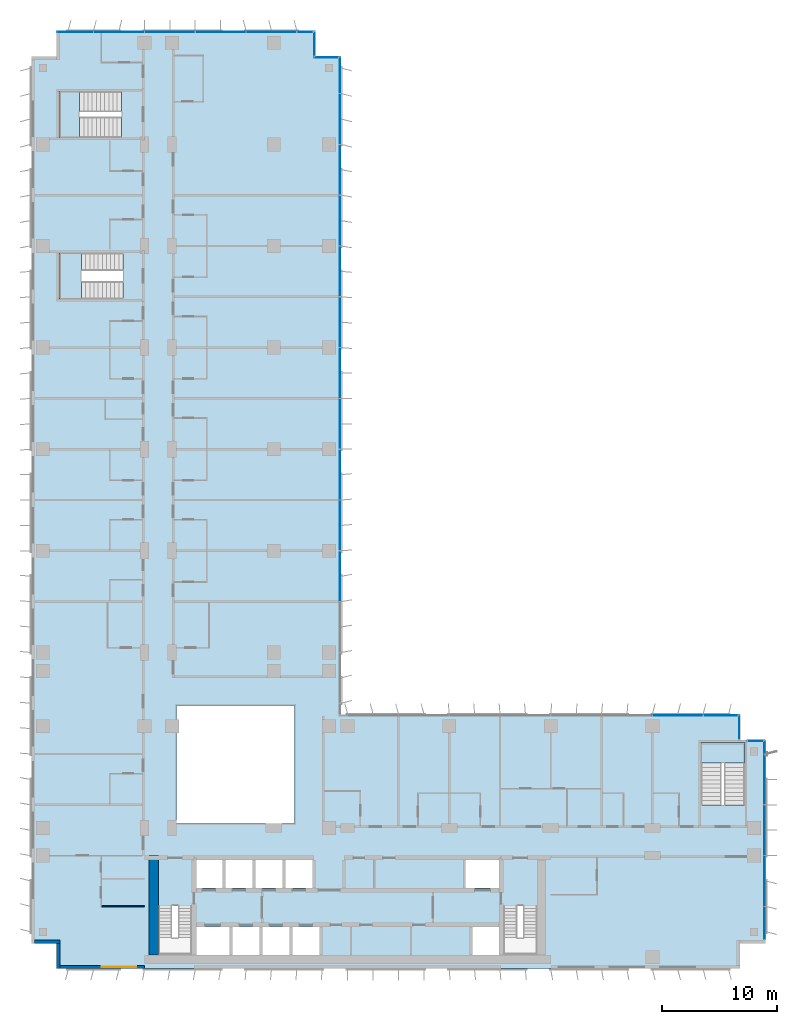
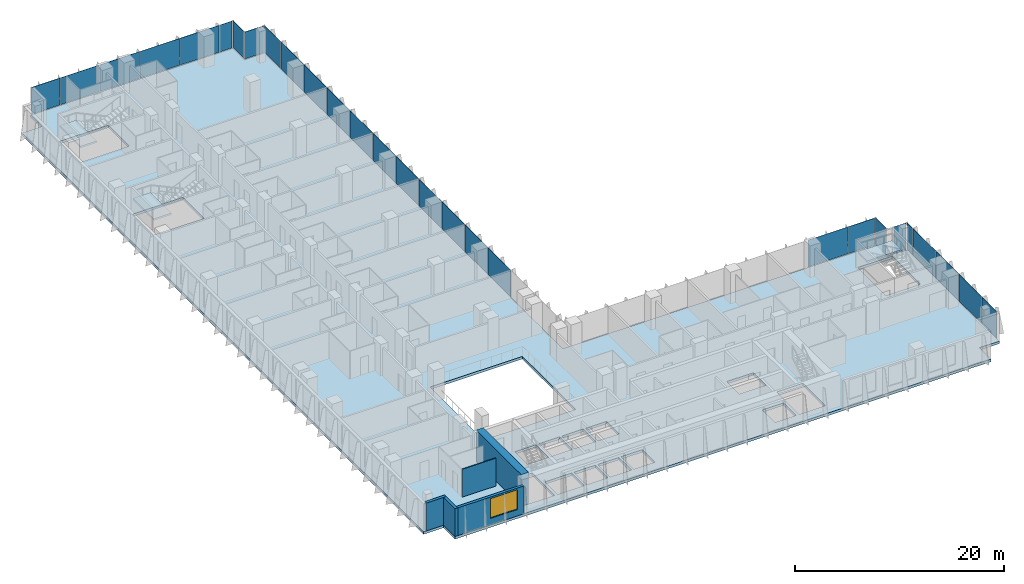
# One storey, part 11 of 22: 28 plates, 5 walls, 4 slabs, 1 window, 1 opening, 11 elements without a shape of their own.
"""IFC4 building model written with IfcOpenShell, lengths in metres."""

from ifc_helpers import new_model, si_unit, direction, frame, frame_2d, origin, origin_2d, place, context, subcontext, project, spatial, polyline, rectangle, outline, extrude, source, transform, mapped, material, layer, layer_set, type_object, element, fill, aggregate, save


model = new_model("IFC4")

# Units and contexts
model_context = context("Model", 3, precision=1e-05, world=origin(), true_north=direction((0.0, 1.0)))
body_context = subcontext(model_context, "Body", "Model", "MODEL_VIEW")
ifc_project = project(units=[si_unit("LENGTHUNIT", "METRE"), si_unit("AREAUNIT", "SQUARE_METRE"), si_unit("VOLUMEUNIT", "CUBIC_METRE"), si_unit("PLANEANGLEUNIT", "RADIAN"), si_unit("MASSUNIT", "GRAM", prefix="KILO")], contexts=[model_context])

# Site, building, storey
site_placement = place(None, origin())
site = spatial("IfcSite", under=ifc_project, at=site_placement, CompositionType="ELEMENT")
building_placement = place(site_placement, origin())
building = spatial("IfcBuilding", under=site, at=building_placement, Name="Kemantara Hotel Tower", CompositionType="ELEMENT")
storey_placement = place(building_placement, frame((0.0, 0.0, 129.60009765625)))
storey = spatial("IfcBuildingStorey", under=building, at=storey_placement, Name="L31", CompositionType="ELEMENT", Elevation=129.60009765625)

# Slab
ifc_material_1 = material(Name="Concrete fc 40 MPa", Category="concrete")
ifc_layer_1 = layer(ifc_material_1, 0.300048828125)
ifc_layer_set_1 = layer_set([ifc_layer_1], Name="Concrete fc 40 MPa")
slab_type_1 = type_object("IfcSlabType", Name="POST-TENSIONED FLAT PLATE 300", PredefinedType="FLOOR", material=ifc_layer_set_1)
slab_1_placement = place(storey_placement, frame((0.0, 0.0, -0.300048828125)))
element("IfcSlab", 1, at=slab_1_placement, inside=storey, type_object=slab_type_1, Name="FLOOR SLAB L31", PredefinedType="FLOOR", context=body_context, shape_type="SweptSolid", body=[
    extrude(outline(polyline([(26.800048828125, 79.0), (24.60009765625, 79.0), (24.60009765625, 81.199951171875), (2.199951171875, 81.199951171875), (2.199951171875, 79.0), (0.0, 79.0), (0.0, 2.199951171875), (2.199951171875, 2.199951171875), (2.199951171875, 0.0), (61.39990234375, 0.0), (61.39990234375, 2.199951171875), (63.60009765625, 2.199951171875), (63.60009765625, 19.800048828125), (61.39990234375, 19.800048828125), (61.39990234375, 22.0), (26.800048828125, 22.0), (26.800048828125, 79.0)]), holes=[polyline([(17.175048828125, 1.199951171875), (14.22509765625, 1.199951171875), (14.22509765625, 3.60009765625), (17.175048828125, 3.60009765625), (17.175048828125, 1.199951171875)]), polyline([(19.77490234375, 1.199951171875), (17.425048828125, 1.199951171875), (17.425048828125, 3.60009765625), (19.77490234375, 3.60009765625), (19.77490234375, 1.199951171875)]), polyline([(11.0, 1.199951171875), (11.0, 5.49951171875), (13.89990234375, 5.49951171875), (13.89990234375, 1.199951171875), (11.0, 1.199951171875)]), polyline([(16.574951171875, 7.0), (14.22509765625, 7.0), (14.22509765625, 9.39990234375), (16.574951171875, 9.39990234375), (16.574951171875, 7.0)]), polyline([(19.175048828125, 7.0), (16.824951171875, 7.0), (16.824951171875, 9.39990234375), (19.175048828125, 9.39990234375), (19.175048828125, 7.0)]), polyline([(22.800048828125, 12.60009765625), (12.60009765625, 12.60009765625), (12.60009765625, 22.800048828125), (22.800048828125, 22.800048828125), (22.800048828125, 12.60009765625)]), polyline([(2.39990234375, 62.0), (7.949462890625, 62.0), (7.949462890625, 58.0), (2.39990234375, 58.0), (2.39990234375, 62.0)]), polyline([(2.39990234375, 76.0), (7.79931640625, 76.0), (7.79931640625, 72.0), (2.39990234375, 72.0), (2.39990234375, 76.0)]), polyline([(22.375, 1.199951171875), (20.02490234375, 1.199951171875), (20.02490234375, 3.60009765625), (22.375, 3.60009765625), (22.375, 1.199951171875)]), polyline([(24.97509765625, 1.199951171875), (22.625, 1.199951171875), (22.625, 3.60009765625), (24.97509765625, 3.60009765625), (24.97509765625, 1.199951171875)]), polyline([(40.574951171875, 1.199951171875), (38.22509765625, 1.199951171875), (38.22509765625, 3.60009765625), (40.574951171875, 3.60009765625), (40.574951171875, 1.199951171875)]), polyline([(40.89990234375, 1.199951171875), (40.89990234375, 5.49951171875), (43.800048828125, 5.49951171875), (43.800048828125, 1.199951171875), (40.89990234375, 1.199951171875)]), polyline([(21.77490234375, 7.0), (19.425048828125, 7.0), (19.425048828125, 9.39990234375), (21.77490234375, 9.39990234375), (21.77490234375, 7.0)]), polyline([(24.375, 7.0), (22.02490234375, 7.0), (22.02490234375, 9.39990234375), (24.375, 9.39990234375), (24.375, 7.0)]), polyline([(40.574951171875, 7.0), (37.625, 7.0), (37.625, 9.39990234375), (40.574951171875, 9.39990234375), (40.574951171875, 7.0)]), polyline([(61.800048828125, 19.60009765625), (61.800048828125, 14.20068359375), (58.0, 14.20068359375), (58.0, 19.60009765625), (61.800048828125, 19.60009765625)])]), origin(), (0.0, 0.0, 1.0), 0.300048828125),
])

# Stair, slab
stair_type_1 = type_object("IfcStairType", Name="Stair 1800 wide 22 risers of 168 x 360 mm", PredefinedType="HALF_TURN_STAIR", material=ifc_material_1)
stair_1_placement = place(storey_placement, origin())
stair_1 = element("IfcStair", 2, at=stair_1_placement, inside=storey, type_object=stair_type_1, Name="L31 Exit stair ST3", PredefinedType="HALF_TURN_STAIR")
ifc_layer_2 = layer(ifc_material_1, 0.199951171875)
ifc_layer_set_2 = layer_set([ifc_layer_2], Name="Concrete fc 40 MPa")
slab_type_2 = type_object("IfcSlabType", Name="Stair landing 200 mm", PredefinedType="LANDING", material=ifc_layer_set_2)
slab_2_placement = place(storey_placement, frame((0.0, 0.0, 1.64990234375)))
slab_2 = element("IfcSlab", 3, at=slab_2_placement, type_object=slab_type_2, Name="ST3 landing 1", PredefinedType="LANDING", context=body_context, shape_type="SweptSolid", body=[
    extrude(outline(polyline([(61.800048828125, 17.800048828125), (61.800048828125, 19.60009765625), (58.0, 19.60009765625), (58.0, 17.800048828125), (61.800048828125, 17.800048828125)])), origin(), (0.0, 0.0, 1.0), 0.199951171875),
])
aggregate(stair_1, [slab_2])

stair_type_2 = type_object("IfcStairType", Name="Stair 1550 wide 22 risers of 168 x 360 mm", PredefinedType="HALF_TURN_STAIR", material=ifc_material_1)
stair_2_placement = place(storey_placement, origin())
stair_2 = element("IfcStair", 4, at=stair_2_placement, inside=storey, type_object=stair_type_2, Name="L31 Exit stair ST4", PredefinedType="HALF_TURN_STAIR")
slab_3_placement = place(storey_placement, frame((0.0, 0.0, 1.64990234375)))
slab_3 = element("IfcSlab", 5, at=slab_3_placement, type_object=slab_type_2, Name="ST4 landing 1", PredefinedType="LANDING", context=body_context, shape_type="SweptSolid", body=[
    extrude(outline(polyline([(4.35009765625, 62.0), (2.39990234375, 62.0), (2.39990234375, 58.0), (4.35009765625, 58.0), (4.35009765625, 62.0)])), origin(), (0.0, 0.0, 1.0), 0.199951171875),
])
aggregate(stair_2, [slab_3])

stair_3_placement = place(storey_placement, origin())
stair_3 = element("IfcStair", 6, at=stair_3_placement, inside=storey, type_object=stair_type_1, Name="L31 Exit stair ST6", PredefinedType="HALF_TURN_STAIR")
slab_4_placement = place(storey_placement, frame((0.0, 0.0, 1.64990234375)))
slab_4 = element("IfcSlab", 7, at=slab_4_placement, type_object=slab_type_2, Name="ST6 landing 1", PredefinedType="LANDING", context=body_context, shape_type="SweptSolid", body=[
    extrude(outline(polyline([(4.199951171875, 76.0), (2.39990234375, 76.0), (2.39990234375, 72.0), (4.199951171875, 72.0), (4.199951171875, 76.0)])), origin(), (0.0, 0.0, 1.0), 0.199951171875),
])
aggregate(stair_3, [slab_4])

# Curtain wall, plate
ifc_material_2 = material(Name="Low-E tinted double insulated glass 36 mm", Category="glass")
curtain_wall_type = type_object("IfcCurtainWallType", Name="TOWER CURTAIN WALL, FRONT FACES", PredefinedType="USERDEFINED", material=ifc_material_2)
curtain_wall_1_placement = place(storey_placement, origin())
curtain_wall_1 = element("IfcCurtainWall", 8, at=curtain_wall_1_placement, inside=storey, type_object=curtain_wall_type, Name="CW4 L31 T2-R10-1", ObjectType="TOWER CURTAIN WALL, FRONT FACES", PredefinedType="USERDEFINED")
ifc_layer_3 = layer(ifc_material_2, 0.035888671875)
ifc_layer_set_3 = layer_set([ifc_layer_3], Name="Low-E tinted double insulated glass 36 mm")
plate_type = type_object("IfcPlateType", Name="TOWER CURTAIN WALL, FRONT FACES PANEL", PredefinedType="CURTAIN_PANEL", material=ifc_layer_set_3)
shared_shape_1 = source(origin(), body_context, "Body", "SweptSolid", [
    extrude(rectangle(XDim=2.81005859375, YDim=0.035888671875, at=origin_2d()), origin(), (0.0, 0.0, 1.0), 3.1298828125),
])
plate_1_placement = place(storey_placement, frame((63.52490234375, 3.965087890625, 0.119873046875), z_axis=(0.0, 0.0, 1.0), x_axis=(0.0, 1.0, 0.0)))
plate_1 = element("IfcPlate", 9, at=plate_1_placement, type_object=plate_type, Name="CW4 glass panel T2-R10-1.1", PredefinedType="CURTAIN_PANEL", context=body_context, shape_type="MappedRepresentation", body=[
    mapped(shared_shape_1, transform((0.0, 0.0, 0.0))),
])

# Curtain wall, plates
curtain_wall_2_placement = place(storey_placement, origin())
curtain_wall_2 = element("IfcCurtainWall", 10, at=curtain_wall_2_placement, inside=storey, type_object=curtain_wall_type, Name="CW4 L31 T2-R01-1", ObjectType="TOWER CURTAIN WALL, FRONT FACES", PredefinedType="USERDEFINED")
shared_shape_2 = source(origin(), body_context, "Body", "SweptSolid", [
    extrude(rectangle(XDim=4.340087890625, YDim=0.035888671875, at=origin_2d()), origin(), (0.0, 0.0, 1.0), 3.1298828125),
])
plate_2_placement = place(storey_placement, frame((20.800048828125, 81.125, 0.119873046875), z_axis=(0.0, 0.0, 1.0), x_axis=(-1.0, 0.0, 0.0)))
plate_2 = element("IfcPlate", 11, at=plate_2_placement, type_object=plate_type, Name="CW4 glass panel T2-R01-1.2", PredefinedType="CURTAIN_PANEL", context=body_context, shape_type="MappedRepresentation", body=[
    mapped(shared_shape_2, transform((0.0, 0.0, 0.0))),
])
plate_3_placement = place(storey_placement, frame((16.39990234375, 81.125, 0.119873046875), z_axis=(0.0, 0.0, 1.0), x_axis=(-1.0, 0.0, 0.0)))
plate_3 = element("IfcPlate", 12, at=plate_3_placement, type_object=plate_type, Name="CW4 glass panel T2-R01-1.3", PredefinedType="CURTAIN_PANEL", context=body_context, shape_type="MappedRepresentation", body=[
    mapped(shared_shape_2, transform((0.0, 0.0, 0.0))),
])
plate_4_placement = place(storey_placement, frame((12.0, 81.125, 0.119873046875), z_axis=(0.0, 0.0, 1.0), x_axis=(-1.0, 0.0, 0.0)))
plate_4 = element("IfcPlate", 13, at=plate_4_placement, type_object=plate_type, Name="CW4 glass panel T2-R01-1.4", PredefinedType="CURTAIN_PANEL", context=body_context, shape_type="MappedRepresentation", body=[
    mapped(shared_shape_2, transform((0.0, 0.0, 0.0))),
])
plate_5_placement = place(storey_placement, frame((7.60009765625, 81.125, 0.119873046875), z_axis=(0.0, 0.0, 1.0), x_axis=(-1.0, 0.0, 0.0)))
plate_5 = element("IfcPlate", 14, at=plate_5_placement, type_object=plate_type, Name="CW4 glass panel T2-R01-1.5", PredefinedType="CURTAIN_PANEL", context=body_context, shape_type="MappedRepresentation", body=[
    mapped(shared_shape_2, transform((0.0, 0.0, 0.0))),
])

# Plate
plate_6_placement = place(storey_placement, frame((63.52490234375, 7.60009765625, 0.119873046875), z_axis=(0.0, 0.0, 1.0), x_axis=(0.0, 1.0, 0.0)))
plate_6 = element("IfcPlate", 15, at=plate_6_placement, type_object=plate_type, Name="CW4 glass panel T2-R10-1.2", PredefinedType="CURTAIN_PANEL", context=body_context, shape_type="MappedRepresentation", body=[
    mapped(shared_shape_2, transform((0.0, 0.0, 0.0))),
])

plate_7_placement = place(storey_placement, frame((63.52490234375, 12.0, 0.119873046875), z_axis=(0.0, 0.0, 1.0), x_axis=(0.0, 1.0, 0.0)))
plate_7 = element("IfcPlate", 16, at=plate_7_placement, type_object=plate_type, Name="CW4 glass panel T2-R10-1.3", PredefinedType="CURTAIN_PANEL", context=body_context, shape_type="MappedRepresentation", body=[
    mapped(shared_shape_2, transform((0.0, 0.0, 0.0))),
])

plate_8_placement = place(storey_placement, frame((63.52490234375, 16.39990234375, 0.119873046875), z_axis=(0.0, 0.0, 1.0), x_axis=(0.0, 1.0, 0.0)))
plate_8 = element("IfcPlate", 17, at=plate_8_placement, type_object=plate_type, Name="CW4 glass panel T2-R10-1.4", PredefinedType="CURTAIN_PANEL", context=body_context, shape_type="MappedRepresentation", body=[
    mapped(shared_shape_2, transform((0.0, 0.0, 0.0))),
])

# Curtain wall, plate
curtain_wall_3_placement = place(storey_placement, origin())
curtain_wall_3 = element("IfcCurtainWall", 18, at=curtain_wall_3_placement, inside=storey, type_object=curtain_wall_type, Name="CW4 L31 T2-R13-1", ObjectType="TOWER CURTAIN WALL, FRONT FACES", PredefinedType="USERDEFINED")
plate_9_placement = place(storey_placement, frame((56.0, 21.925048828125, 0.119873046875), z_axis=(0.0, 0.0, 1.0), x_axis=(-1.0, 0.0, 0.0)))
plate_9 = element("IfcPlate", 19, at=plate_9_placement, type_object=plate_type, Name="CW4 glass panel T2-R13-1.2", PredefinedType="CURTAIN_PANEL", context=body_context, shape_type="MappedRepresentation", body=[
    mapped(shared_shape_2, transform((0.0, 0.0, 0.0))),
])

# Curtain wall, plates
curtain_wall_4_placement = place(storey_placement, origin())
curtain_wall_4 = element("IfcCurtainWall", 20, at=curtain_wall_4_placement, inside=storey, type_object=curtain_wall_type, Name="CW4 L31 T2-R14-1", ObjectType="TOWER CURTAIN WALL, FRONT FACES", PredefinedType="USERDEFINED")
plate_10_placement = place(storey_placement, frame((26.72509765625, 34.0, 0.119873046875), z_axis=(0.0, 0.0, 1.0), x_axis=(0.0, 1.0, 0.0)))
plate_10 = element("IfcPlate", 21, at=plate_10_placement, type_object=plate_type, Name="CW4 glass panel T2-R14-1.4", PredefinedType="CURTAIN_PANEL", context=body_context, shape_type="MappedRepresentation", body=[
    mapped(shared_shape_2, transform((0.0, 0.0, 0.0))),
])
plate_11_placement = place(storey_placement, frame((26.72509765625, 38.39990234375, 0.119873046875), z_axis=(0.0, 0.0, 1.0), x_axis=(0.0, 1.0, 0.0)))
plate_11 = element("IfcPlate", 22, at=plate_11_placement, type_object=plate_type, Name="CW4 glass panel T2-R14-1.5", PredefinedType="CURTAIN_PANEL", context=body_context, shape_type="MappedRepresentation", body=[
    mapped(shared_shape_2, transform((0.0, 0.0, 0.0))),
])
plate_12_placement = place(storey_placement, frame((26.72509765625, 42.800048828125, 0.119873046875), z_axis=(0.0, 0.0, 1.0), x_axis=(0.0, 1.0, 0.0)))
plate_12 = element("IfcPlate", 23, at=plate_12_placement, type_object=plate_type, Name="CW4 glass panel T2-R14-1.6", PredefinedType="CURTAIN_PANEL", context=body_context, shape_type="MappedRepresentation", body=[
    mapped(shared_shape_2, transform((0.0, 0.0, 0.0))),
])
plate_13_placement = place(storey_placement, frame((26.72509765625, 47.199951171875, 0.119873046875), z_axis=(0.0, 0.0, 1.0), x_axis=(0.0, 1.0, 0.0)))
plate_13 = element("IfcPlate", 24, at=plate_13_placement, type_object=plate_type, Name="CW4 glass panel T2-R14-1.7", PredefinedType="CURTAIN_PANEL", context=body_context, shape_type="MappedRepresentation", body=[
    mapped(shared_shape_2, transform((0.0, 0.0, 0.0))),
])
plate_14_placement = place(storey_placement, frame((26.72509765625, 51.60009765625, 0.119873046875), z_axis=(0.0, 0.0, 1.0), x_axis=(0.0, 1.0, 0.0)))
plate_14 = element("IfcPlate", 25, at=plate_14_placement, type_object=plate_type, Name="CW4 glass panel T2-R14-1.8", PredefinedType="CURTAIN_PANEL", context=body_context, shape_type="MappedRepresentation", body=[
    mapped(shared_shape_2, transform((0.0, 0.0, 0.0))),
])
plate_15_placement = place(storey_placement, frame((26.72509765625, 56.0, 0.119873046875), z_axis=(0.0, 0.0, 1.0), x_axis=(0.0, 1.0, 0.0)))
plate_15 = element("IfcPlate", 26, at=plate_15_placement, type_object=plate_type, Name="CW4 glass panel T2-R14-1.9", PredefinedType="CURTAIN_PANEL", context=body_context, shape_type="MappedRepresentation", body=[
    mapped(shared_shape_2, transform((0.0, 0.0, 0.0))),
])
plate_16_placement = place(storey_placement, frame((26.72509765625, 60.39990234375, 0.119873046875), z_axis=(0.0, 0.0, 1.0), x_axis=(0.0, 1.0, 0.0)))
plate_16 = element("IfcPlate", 27, at=plate_16_placement, type_object=plate_type, Name="CW4 glass panel T2-R14-1.10", PredefinedType="CURTAIN_PANEL", context=body_context, shape_type="MappedRepresentation", body=[
    mapped(shared_shape_2, transform((0.0, 0.0, 0.0))),
])
plate_17_placement = place(storey_placement, frame((26.72509765625, 64.800048828125, 0.119873046875), z_axis=(0.0, 0.0, 1.0), x_axis=(0.0, 1.0, 0.0)))
plate_17 = element("IfcPlate", 28, at=plate_17_placement, type_object=plate_type, Name="CW4 glass panel T2-R14-1.11", PredefinedType="CURTAIN_PANEL", context=body_context, shape_type="MappedRepresentation", body=[
    mapped(shared_shape_2, transform((0.0, 0.0, 0.0))),
])
plate_18_placement = place(storey_placement, frame((26.72509765625, 69.199951171875, 0.119873046875), z_axis=(0.0, 0.0, 1.0), x_axis=(0.0, 1.0, 0.0)))
plate_18 = element("IfcPlate", 29, at=plate_18_placement, type_object=plate_type, Name="CW4 glass panel T2-R14-1.12", PredefinedType="CURTAIN_PANEL", context=body_context, shape_type="MappedRepresentation", body=[
    mapped(shared_shape_2, transform((0.0, 0.0, 0.0))),
])
plate_19_placement = place(storey_placement, frame((26.72509765625, 73.60009765625, 0.119873046875), z_axis=(0.0, 0.0, 1.0), x_axis=(0.0, 1.0, 0.0)))
plate_19 = element("IfcPlate", 30, at=plate_19_placement, type_object=plate_type, Name="CW4 glass panel T2-R14-1.13", PredefinedType="CURTAIN_PANEL", context=body_context, shape_type="MappedRepresentation", body=[
    mapped(shared_shape_2, transform((0.0, 0.0, 0.0))),
])

# Plate
shared_shape_3 = source(origin(), body_context, "Body", "SweptSolid", [
    extrude(rectangle(XDim=2.9599609375, YDim=0.035888671875, at=origin_2d()), origin(), (0.0, 0.0, 1.0), 3.1298828125),
])
plate_20_placement = place(storey_placement, frame((59.7099609375, 21.925048828125, 0.119873046875), z_axis=(0.0, 0.0, 1.0), x_axis=(-1.0, 0.0, 0.0)))
plate_20 = element("IfcPlate", 31, at=plate_20_placement, type_object=plate_type, Name="CW4 glass panel T2-R13-1.1", PredefinedType="CURTAIN_PANEL", context=body_context, shape_type="MappedRepresentation", body=[
    mapped(shared_shape_3, transform((0.0, 0.0, 0.0))),
])

aggregate(curtain_wall_3, [plate_20, plate_9])

shared_shape_4 = source(origin(), body_context, "Body", "SweptSolid", [
    extrude(rectangle(XDim=3.110107421875, YDim=0.035888671875, at=origin_2d()), origin(), (0.0, 0.0, 1.0), 3.1298828125),
])
plate_21_placement = place(storey_placement, frame((3.81494140625, 81.125, 0.119873046875), z_axis=(0.0, 0.0, 1.0), x_axis=(-1.0, 0.0, 0.0)))
plate_21 = element("IfcPlate", 32, at=plate_21_placement, type_object=plate_type, Name="CW4 glass panel T2-R01-1.6", PredefinedType="CURTAIN_PANEL", context=body_context, shape_type="MappedRepresentation", body=[
    mapped(shared_shape_4, transform((0.0, 0.0, 0.0))),
])

plate_22_placement = place(storey_placement, frame((26.72509765625, 77.385009765625, 0.119873046875), z_axis=(0.0, 0.0, 1.0), x_axis=(0.0, 1.0, 0.0)))
plate_22 = element("IfcPlate", 33, at=plate_22_placement, type_object=plate_type, Name="CW4 glass panel T2-R14-1.14", PredefinedType="CURTAIN_PANEL", context=body_context, shape_type="MappedRepresentation", body=[
    mapped(shared_shape_4, transform((0.0, 0.0, 0.0))),
])

aggregate(curtain_wall_4, [plate_10, plate_11, plate_12, plate_13, plate_14, plate_15, plate_16, plate_17, plate_18, plate_19, plate_22])

shared_shape_5 = source(origin(), body_context, "Body", "SweptSolid", [
    extrude(rectangle(XDim=1.360107421875, YDim=0.035888671875, at=origin_2d()), origin(), (0.0, 0.0, 1.0), 3.1298828125),
])
plate_23_placement = place(storey_placement, frame((23.7099609375, 81.125, 0.119873046875), z_axis=(0.0, 0.0, 1.0), x_axis=(-1.0, 0.0, 0.0)))
plate_23 = element("IfcPlate", 34, at=plate_23_placement, type_object=plate_type, Name="CW4 glass panel T2-R01-1.1", PredefinedType="CURTAIN_PANEL", context=body_context, shape_type="MappedRepresentation", body=[
    mapped(shared_shape_5, transform((0.0, 0.0, 0.0))),
])

aggregate(curtain_wall_2, [plate_23, plate_2, plate_3, plate_4, plate_5, plate_21])

# Curtain wall, plate
curtain_wall_5_placement = place(storey_placement, origin())
curtain_wall_5 = element("IfcCurtainWall", 35, at=curtain_wall_5_placement, inside=storey, type_object=curtain_wall_type, Name="CW4 L31 T2-R00-1", ObjectType="TOWER CURTAIN WALL, FRONT FACES", PredefinedType="USERDEFINED")
shared_shape_6 = source(origin(), body_context, "Body", "SweptSolid", [
    extrude(rectangle(XDim=2.080078125, YDim=0.035888671875, at=origin_2d()), origin(), (0.0, 0.0, 1.0), 3.1298828125),
])
plate_24_placement = place(storey_placement, frame((24.52490234375, 80.10009765625, 0.119873046875), z_axis=(0.0, 0.0, 1.0), x_axis=(0.0, 1.0, 0.0)))
plate_24 = element("IfcPlate", 36, at=plate_24_placement, type_object=plate_type, Name="CW4 glass panel T2-R00-1.1", PredefinedType="CURTAIN_PANEL", context=body_context, shape_type="MappedRepresentation", body=[
    mapped(shared_shape_6, transform((0.0, 0.0, 0.0))),
])
aggregate(curtain_wall_5, [plate_24])

curtain_wall_6_placement = place(storey_placement, origin())
curtain_wall_6 = element("IfcCurtainWall", 37, at=curtain_wall_6_placement, inside=storey, type_object=curtain_wall_type, Name="CW4 L31 T2-R12-1", ObjectType="TOWER CURTAIN WALL, FRONT FACES", PredefinedType="USERDEFINED")
plate_25_placement = place(storey_placement, frame((61.324951171875, 20.89990234375, 0.119873046875), z_axis=(0.0, 0.0, 1.0), x_axis=(0.0, 1.0, 0.0)))
plate_25 = element("IfcPlate", 38, at=plate_25_placement, type_object=plate_type, Name="CW4 glass panel T2-R12-1.1", PredefinedType="CURTAIN_PANEL", context=body_context, shape_type="MappedRepresentation", body=[
    mapped(shared_shape_6, transform((0.0, 0.0, 0.0))),
])
aggregate(curtain_wall_6, [plate_25])

curtain_wall_7_placement = place(storey_placement, origin())
curtain_wall_7 = element("IfcCurtainWall", 39, at=curtain_wall_7_placement, inside=storey, type_object=curtain_wall_type, Name="CW4 L31 T2-R15-1", ObjectType="TOWER CURTAIN WALL, FRONT FACES", PredefinedType="USERDEFINED")
plate_26_placement = place(storey_placement, frame((25.550048828125, 78.925048828125, 0.119873046875), z_axis=(0.0, 0.0, 1.0), x_axis=(-1.0, 0.0, 0.0)))
plate_26 = element("IfcPlate", 40, at=plate_26_placement, type_object=plate_type, Name="CW4 glass panel T2-R15-1.1", PredefinedType="CURTAIN_PANEL", context=body_context, shape_type="MappedRepresentation", body=[
    mapped(shared_shape_6, transform((0.0, 0.0, 0.0))),
])
aggregate(curtain_wall_7, [plate_26])

# Plate
shared_shape_7 = source(origin(), body_context, "Body", "SweptSolid", [
    extrude(rectangle(XDim=1.110107421875, YDim=0.035888671875, at=origin_2d()), origin(), (0.0, 0.0, 1.0), 3.1298828125),
])
plate_27_placement = place(storey_placement, frame((63.52490234375, 19.18505859375, 0.119873046875), z_axis=(0.0, 0.0, 1.0), x_axis=(0.0, 1.0, 0.0)))
plate_27 = element("IfcPlate", 41, at=plate_27_placement, type_object=plate_type, Name="CW4 glass panel T2-R10-1.5", PredefinedType="CURTAIN_PANEL", context=body_context, shape_type="MappedRepresentation", body=[
    mapped(shared_shape_7, transform((0.0, 0.0, 0.0))),
])

aggregate(curtain_wall_1, [plate_1, plate_6, plate_7, plate_8, plate_27])

# Curtain wall, plate
curtain_wall_8_placement = place(storey_placement, origin())
curtain_wall_8 = element("IfcCurtainWall", 42, at=curtain_wall_8_placement, inside=storey, type_object=curtain_wall_type, Name="CW4 L31 T2-R11-1", ObjectType="TOWER CURTAIN WALL, FRONT FACES", PredefinedType="USERDEFINED")
shared_shape_8 = source(origin(), body_context, "Body", "SweptSolid", [
    extrude(rectangle(XDim=1.330078125, YDim=0.035888671875, at=origin_2d()), origin(), (0.0, 0.0, 1.0), 3.1298828125),
])
plate_28_placement = place(storey_placement, frame((62.72509765625, 19.72509765625, 0.119873046875), z_axis=(0.0, 0.0, 1.0), x_axis=(-1.0, 0.0, 0.0)))
plate_28 = element("IfcPlate", 43, at=plate_28_placement, type_object=plate_type, Name="CW4 glass panel T2-R11-1.1", PredefinedType="CURTAIN_PANEL", context=body_context, shape_type="MappedRepresentation", body=[
    mapped(shared_shape_8, transform((0.0, 0.0, 0.0))),
])
aggregate(curtain_wall_8, [plate_28])

# Walls
ifc_material_3 = material(Name="Bronze anodised aluminium cladding on insulated steel stud wall", Category="steel")
ifc_layer_4 = layer(ifc_material_3, 0.300048828125)
ifc_layer_set_4 = layer_set([ifc_layer_4], Name="Bronze anodised aluminium cladding on insulated steel stud wall")
wall_type_1 = type_object("IfcWallType", Name="BRONZE METAL-CLAD EXTERNAL WALL 300", PredefinedType="STANDARD", material=ifc_layer_set_4)
for number, where, z_axis, x_axis, name in (
    (44, (0.300048828125, 2.35009765625, 0.0), (0.0, 0.0, 1.0), (1.0, 0.0, 0.0), "EXTERNAL WALL L31 T2-R05"),
    (45, (2.35009765625, 2.199951171875, 0.0), (0.0, 0.0, 1.0), (0.0, -1.0, 0.0), "EXTERNAL WALL L31 T2-R06"),
):
    element("IfcWall", number, at=place(storey_placement, frame(where, z_axis=z_axis, x_axis=x_axis)), inside=storey, type_object=wall_type_1, Name=name, PredefinedType="STANDARD", context=body_context, shape_type="SweptSolid", body=[
        extrude(rectangle(XDim=2.199951171875, YDim=0.300048828125, at=frame_2d((1.10009765625, 0.0))), origin(), (0.0, 0.0, 1.0), 3.25),
    ])

# Wall, opening, window
wall_1_placement = place(storey_placement, frame((2.5, 0.14990234375, 0.0), z_axis=(0.0, 0.0, 1.0), x_axis=(1.0, 0.0, 0.0)))
wall_1 = element("IfcWall", 46, at=wall_1_placement, inside=storey, type_object=wall_type_1, Name="EXTERNAL WALL L31 T2-R07", PredefinedType="STANDARD", context=body_context, shape_type="SweptSolid", body=[
    extrude(rectangle(XDim=7.300048828125, YDim=0.300048828125, at=frame_2d((3.64990234375, 0.0))), origin(), (0.0, 0.0, 1.0), 3.25),
])
opening_placement = place(wall_1_placement, frame((3.60009765625, 0.0, 0.75)))
opening = element("IfcOpeningElement", 47, at=opening_placement, cuts=wall_1, Name="Opening W1", PredefinedType="OPENING", context=body_context, shape_type="SweptSolid", body=[
    extrude(rectangle(XDim=3.0, YDim=2.300048828125, at=frame_2d((1.5, 1.14990234375))), frame((0.0, 0.159912109375, 0.0), z_axis=(0.0, -1.0, 0.0), x_axis=(1.0, 0.0, 0.0)), (0.0, 0.0, 1.0), 0.320068359375),
])
ifc_material_4 = material(Name="Low-E tinted double insulated glass in bronze anodised aluminium frame", Category="aluminium")
window_type = type_object("IfcWindowType", Name="CHICAGO WINDOW, TRIPLE PANEL 3000x2300", PartitioningType="TRIPLE_PANEL_VERTICAL", PredefinedType="WINDOW", material=ifc_material_4)
window_placement = place(opening_placement, origin())
window = element("IfcWindow", 48, at=window_placement, inside=storey, type_object=window_type, Name="CHICAGO WINDOW L31 T2-R07-54", OverallHeight=2.300048828125, OverallWidth=3.0, PartitioningType="SINGLE_PANEL", PredefinedType="WINDOW", context=body_context, shape_type="SweptSolid", body=[
    extrude(rectangle(XDim=3.0, YDim=2.300048828125, at=frame_2d((1.5, 1.14990234375))), frame((0.0, 0.030029296875, 0.0), z_axis=(0.0, -1.0, 0.0), x_axis=(1.0, 0.0, 0.0)), (0.0, 0.0, 1.0), 0.06005859375),
])
fill(opening, window)

# Walls
ifc_material_5 = material(Name="Concrete fc 70 MPa", Category="concrete")
ifc_layer_5 = layer(ifc_material_5, 0.800048828125)
ifc_layer_set_5 = layer_set([ifc_layer_5], Name="Concrete fc 70 MPa")
wall_type_2 = type_object("IfcWallType", Name="CORE WALL 800 FC70", PredefinedType="SHEAR", material=ifc_layer_set_5)
wall_2_placement = place(storey_placement, frame((10.60009765625, 1.199951171875, 0.0), z_axis=(0.0, 0.0, 1.0), x_axis=(0.0, 1.0, 0.0)))
element("IfcWall", 49, at=wall_2_placement, inside=storey, type_object=wall_type_2, Name="CORE WALL CW-W", PredefinedType="SHEAR", context=body_context, shape_type="SweptSolid", body=[
    extrude(rectangle(XDim=8.60009765625, YDim=0.800048828125, at=frame_2d((4.300048828125, 0.0))), origin(), (0.0, 0.0, 1.0), 3.699951171875),
])
ifc_material_6 = material(Name="Gypsum board partition on steel studs, 100 mm", Category="steel")
ifc_layer_6 = layer(ifc_material_6, 0.10009765625)
ifc_layer_set_6 = layer_set([ifc_layer_6], Name="Gypsum board partition on steel studs, 100 mm")
wall_type_3 = type_object("IfcWallType", Name="ROOM PARTITION 100", PredefinedType="PARTITIONING", material=ifc_layer_set_6)
wall_3_placement = place(storey_placement, frame((6.10009765625, 5.39990234375, 0.0), z_axis=(0.0, 0.0, 1.0), x_axis=(1.0, 0.0, 0.0)))
element("IfcWall", 50, at=wall_3_placement, inside=storey, type_object=wall_type_3, Name="ROOM PARTITION 100 073", PredefinedType="PARTITIONING", context=body_context, shape_type="SweptSolid", body=[
    extrude(rectangle(XDim=3.69970703125, YDim=0.10009765625, at=frame_2d((1.849853515625, 0.0))), origin(), (0.0, 0.0, 1.0), 3.25),
])

save(model, "model.ifc")
